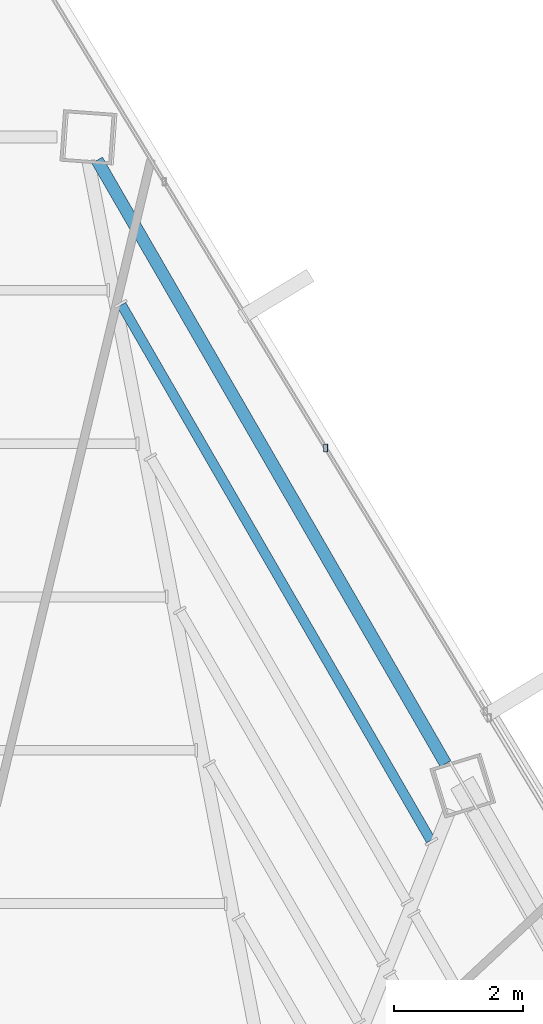
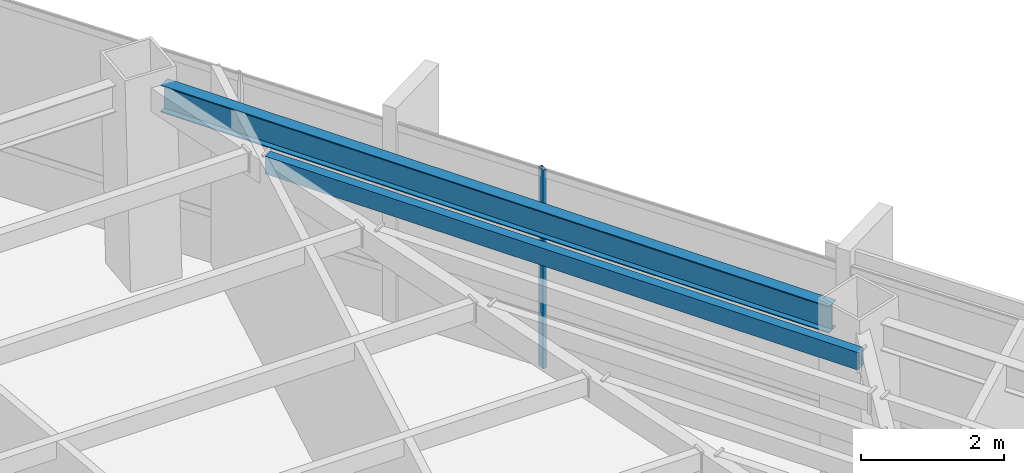
# One storey, part 36 of 49: 2 beams, 1 member, 1 element without a shape of its own.
"""IFC4 building model written with IfcOpenShell, lengths in metres."""

from ifc_helpers import new_model, si_unit, direction, frame, origin, origin_2d, place, context, subcontext, project, spatial, hollow_rectangle, i_section, extrude, source, transform, mapped, material, material_profile, profile_set, type_object, type_shapes, element, aggregate, save


model = new_model("IFC4")

# Units and contexts
model_context = context("Model", 3, precision=1e-05, world=origin(), true_north=direction((0.0, 1.0)))
body_context = subcontext(model_context, "Body", "Model", "MODEL_VIEW")
ifc_project = project(units=[si_unit("LENGTHUNIT", "METRE"), si_unit("AREAUNIT", "SQUARE_METRE"), si_unit("VOLUMEUNIT", "CUBIC_METRE"), si_unit("PLANEANGLEUNIT", "RADIAN"), si_unit("MASSUNIT", "GRAM", prefix="KILO")], contexts=[model_context])

# Site, building, storey
site_placement = place(None, origin())
site = spatial("IfcSite", under=ifc_project, at=site_placement, CompositionType="ELEMENT")
building_placement = place(site_placement, origin())
building = spatial("IfcBuilding", under=site, at=building_placement, Name="Caelisora Broadcast Tower", CompositionType="ELEMENT")
storey_placement = place(building_placement, frame((0.0, 0.0, 233.5)))
storey = spatial("IfcBuildingStorey", under=building, at=storey_placement, Name="L61", CompositionType="ELEMENT", Elevation=233.5)

# Beams
ifc_material_1 = material(Name="Steel Grade 350 (AS/NZS 3679.1)", Category="steel")
ifc_material_profile_1 = material_profile(ifc_material_1, i_section(OverallWidth=0.19091796875, OverallDepth=0.46044921875, WebThickness=0.010009765625, FlangeThickness=0.01611328125, at=origin_2d()), Name="Steel Grade 350 (AS/NZS 3679.1)")
ifc_profile_set_1 = profile_set([ifc_material_profile_1], Name="Steel Grade 350 (AS/NZS 3679.1)")
beam_type_1 = type_object("IfcBeamType", Name="PG06", PredefinedType="BEAM", material=ifc_profile_set_1)
shared_shape_1 = source(origin(), body_context, "Body", "SweptSolid", [
    extrude(i_section(OverallWidth=0.19091796875, OverallDepth=0.46044921875, WebThickness=0.010009765625, FlangeThickness=0.01611328125, at=origin_2d()), origin(), (0.0, 0.0, 1.0), 10.804443359375),
])
type_shapes(beam_type_1, [shared_shape_1])
beam_1_placement = place(storey_placement, frame((47.916015625, 36.923583984375, 3.169921875), z_axis=(-0.499991078618, 0.866030554486, 0.0), x_axis=(-0.866030554486, -0.499991078618, 0.0)))
element("IfcBeam", 1, at=beam_1_placement, inside=storey, type_object=beam_type_1, Name="L61 beam PG06", PredefinedType="BEAM", context=body_context, shape_type="MappedRepresentation", body=[
    mapped(shared_shape_1, transform((0.0, 0.0, 0.0), scale=1.0)),
])
ifc_material_2 = material(Name="Steel Grade 350 (AS/NZS 1163 C350L0)", Category="steel")
ifc_material_profile_2 = material_profile(ifc_material_2, hollow_rectangle(XDim=0.14990234375, YDim=0.300048828125, WallThickness=0.010009765625, at=origin_2d()), Name="Steel Grade 350 (AS/NZS 1163 C350L0)")
ifc_profile_set_2 = profile_set([ifc_material_profile_2], Name="Steel Grade 350 (AS/NZS 1163 C350L0)")
beam_type_2 = type_object("IfcBeamType", Name="SB05", PredefinedType="JOIST", material=ifc_profile_set_2)
shared_shape_2 = source(origin(), body_context, "Body", "SweptSolid", [
    extrude(hollow_rectangle(XDim=0.14990234375, YDim=0.300048828125, WallThickness=0.010009765625, at=origin_2d()), origin(), (0.0, 0.0, 1.0), 9.589599609375),
])
type_shapes(beam_type_2, [shared_shape_2])
beam_2_placement = place(storey_placement, frame((47.68701171875, 35.7333984375, 3.25), z_axis=(-0.500016292001, 0.866015997389, 0.0), x_axis=(-0.866015997389, -0.500016292001, 0.0)))
element("IfcBeam", 2, at=beam_2_placement, inside=storey, type_object=beam_type_2, Name="L61 beam SB05", PredefinedType="JOIST", context=body_context, shape_type="MappedRepresentation", body=[
    mapped(shared_shape_2, transform((0.0, 0.0, 0.0), scale=1.0)),
])

# Curtain wall, member
ifc_material_3 = material(Name="Unitised Aluminium and Low-E Glass Curtain Wall", Category="glass")
curtain_wall_type = type_object("IfcCurtainWallType", Name="CW-Z5", PredefinedType="NOTDEFINED", material=ifc_material_3)
curtain_wall_placement = place(storey_placement, origin())
curtain_wall = element("IfcCurtainWall", 3, at=curtain_wall_placement, inside=storey, type_object=curtain_wall_type, Name="L61 curtain wall CW-Z5", PredefinedType="NOTDEFINED")
ifc_material_4 = material(Name="Aluminium 6063-T6 Anodised Terracotta Bronze", Category="aluminium")
ifc_material_profile_3 = material_profile(ifc_material_4, hollow_rectangle(XDim=0.06005859375, YDim=0.1201171875, WallThickness=0.0029296875, at=origin_2d()), Name="Aluminium 6063-T6 Anodised Terracotta Bronze")
ifc_profile_set_3 = profile_set([ifc_material_profile_3], Name="Aluminium 6063-T6 Anodised Terracotta Bronze")
member_type = type_object("IfcMemberType", Name="CWM-04", PredefinedType="MULLION", material=ifc_profile_set_3)
shared_shape_3 = source(origin(), body_context, "Body", "SweptSolid", [
    extrude(hollow_rectangle(XDim=0.06005859375, YDim=0.1201171875, WallThickness=0.0029296875, at=origin_2d()), origin(), (0.0, 0.0, 1.0), 3.39990234375),
])
type_shapes(member_type, [shared_shape_3])
member_placement = place(storey_placement, frame((46.056640625, 41.819091796875, 0.0), z_axis=(0.0, 0.0, 1.0), x_axis=(1.0, 0.0, 0.0)))
member = element("IfcMember", 4, at=member_placement, type_object=member_type, Name="L61-CW-B01 mullion #2", PredefinedType="MULLION", context=body_context, shape_type="MappedRepresentation", body=[
    mapped(shared_shape_3, transform((0.0, 0.0, 0.0), scale=1.0)),
])
aggregate(curtain_wall, [member])

save(model, "model.ifc")
